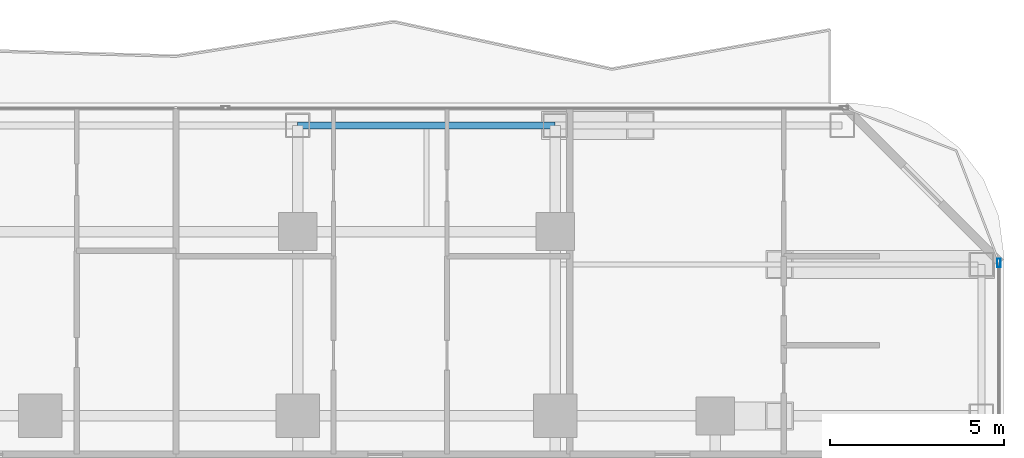
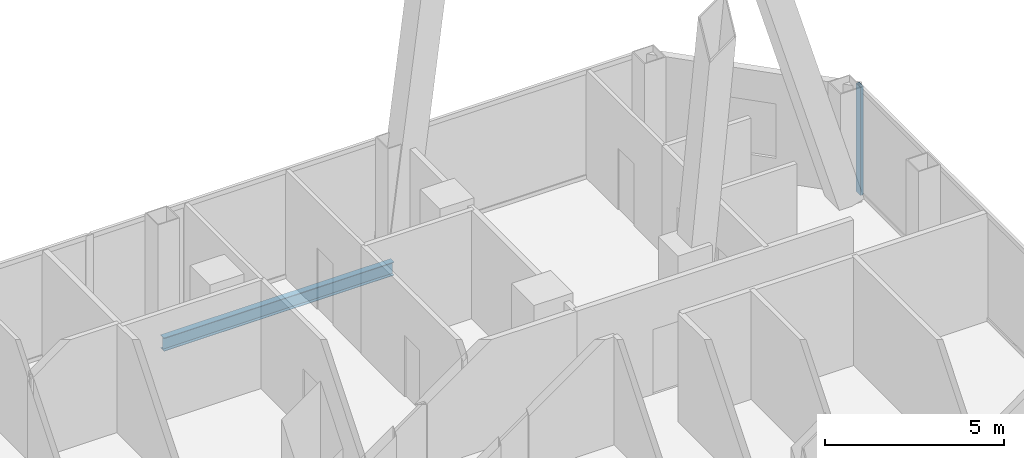
# One storey, part 20 of 32: 1 beam, 1 member, 1 element without a shape of its own.
"""IFC4 building model written with IfcOpenShell, lengths in metres."""

from ifc_helpers import new_model, si_unit, direction, frame, origin, origin_2d, place, context, subcontext, project, spatial, hollow_rectangle, i_section, extrude, material, layer, layer_set, material_profile, profile_set, type_object, element, aggregate, save


model = new_model("IFC4")

# Units and contexts
model_context = context("Model", 3, precision=1e-05, world=origin(), true_north=direction((0.0, 1.0)))
body_context = subcontext(model_context, "Body", "Model", "MODEL_VIEW")
ifc_project = project(units=[si_unit("LENGTHUNIT", "METRE"), si_unit("AREAUNIT", "SQUARE_METRE"), si_unit("VOLUMEUNIT", "CUBIC_METRE"), si_unit("PLANEANGLEUNIT", "RADIAN"), si_unit("MASSUNIT", "GRAM", prefix="KILO")], contexts=[model_context])

# Site, building, storey
site_placement = place(None, origin())
site = spatial("IfcSite", under=ifc_project, at=site_placement, CompositionType="ELEMENT")
building_placement = place(site_placement, origin())
building = spatial("IfcBuilding", under=site, at=building_placement, Name="Khorvyn Point Tower", CompositionType="ELEMENT")
storey_placement = place(building_placement, frame((0.0, 0.0, 148.5)))
storey = spatial("IfcBuildingStorey", under=building, at=storey_placement, Name="L37", CompositionType="ELEMENT", Elevation=148.5)

# Curtain wall, member
ifc_material_1 = material(Name="Anodised aluminium 6063-T6 and laminated Low-E glass", Category="aluminium")
ifc_layer = layer(ifc_material_1, 0.18994140625)
ifc_layer_set = layer_set([ifc_layer], Name="Stick-Built Acoustic Curtain Wall CW-SYS-03")
curtain_wall_type = type_object("IfcCurtainWallType", Name="Stick-Built Acoustic Curtain Wall CW-SYS-03", PredefinedType="NOTDEFINED", material=ifc_layer_set)
curtain_wall_placement = place(storey_placement, origin())
curtain_wall = element("IfcCurtainWall", 1, at=curtain_wall_placement, inside=storey, type_object=curtain_wall_type, Name="Curtain Wall", PredefinedType="NOTDEFINED")
ifc_material_2 = material(Name="Anodised aluminium 6063-T6", Category="aluminium")
ifc_material_profile_1 = material_profile(ifc_material_2, hollow_rectangle(XDim=0.10009765625, YDim=0.239990234375, WallThickness=0.0048828125, at=origin_2d()))
ifc_profile_set_1 = profile_set([ifc_material_profile_1], Name="Anodised aluminium 6063-T6 ALU-MUL-100x240")
member_type = type_object("IfcMemberType", Name="Anodised Aluminium 6063-T6 Mullion ALU-MUL-100x240", PredefinedType="MULLION", material=ifc_profile_set_1)
member_placement = place(storey_placement, frame((27.550048828125, 19.199951171875, 0.0), z_axis=(0.0, 0.0, 1.0), x_axis=(1.0, 0.0, 0.0)))
member = element("IfcMember", 2, at=member_placement, type_object=member_type, Name="Transom", PredefinedType="MULLION", context=body_context, shape_type="SweptSolid", body=[
    extrude(hollow_rectangle(XDim=0.10009765625, YDim=0.239990234375, WallThickness=0.0048828125, at=origin_2d()), origin(), (0.0, 0.0, 1.0), 3.679931640625),
])
aggregate(curtain_wall, [member])

# Beam
ifc_material_3 = material(Name="Steel S355", Category="steel")
ifc_material_profile_2 = material_profile(ifc_material_3, i_section(OverallWidth=0.199951171875, OverallDepth=0.449951171875, WebThickness=0.009033203125, FlangeThickness=0.013916015625, at=origin_2d()))
ifc_profile_set_2 = profile_set([ifc_material_profile_2], Name="Steel S355 H450x200x9x14")
beam_type = type_object("IfcBeamType", Name="Steel S355 Spandrel H450x200x9x14", PredefinedType="SPANDREL", material=ifc_profile_set_2)
beam_placement = place(storey_placement, frame((7.39990234375, 23.14990234375, -0.445068359375), z_axis=(1.0, 0.0, 0.0), x_axis=(0.0, 1.0, 0.0)))
element("IfcBeam", 3, at=beam_placement, inside=storey, type_object=beam_type, Name="Beam", PredefinedType="SPANDREL", context=body_context, shape_type="SweptSolid", body=[
    extrude(i_section(OverallWidth=0.199951171875, OverallDepth=0.449951171875, WebThickness=0.009033203125, FlangeThickness=0.013916015625, at=origin_2d()), origin(), (0.0, 0.0, 1.0), 7.400146484375),
])

save(model, "model.ifc")
